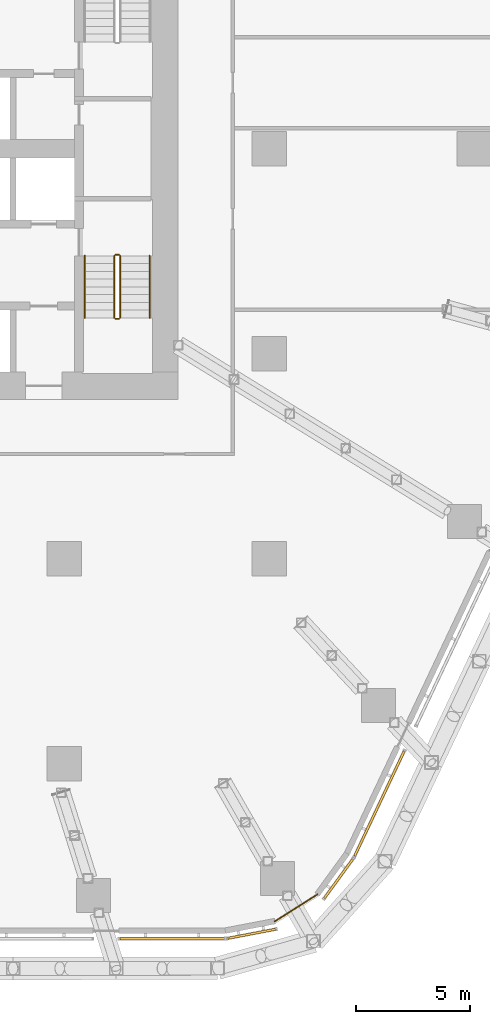
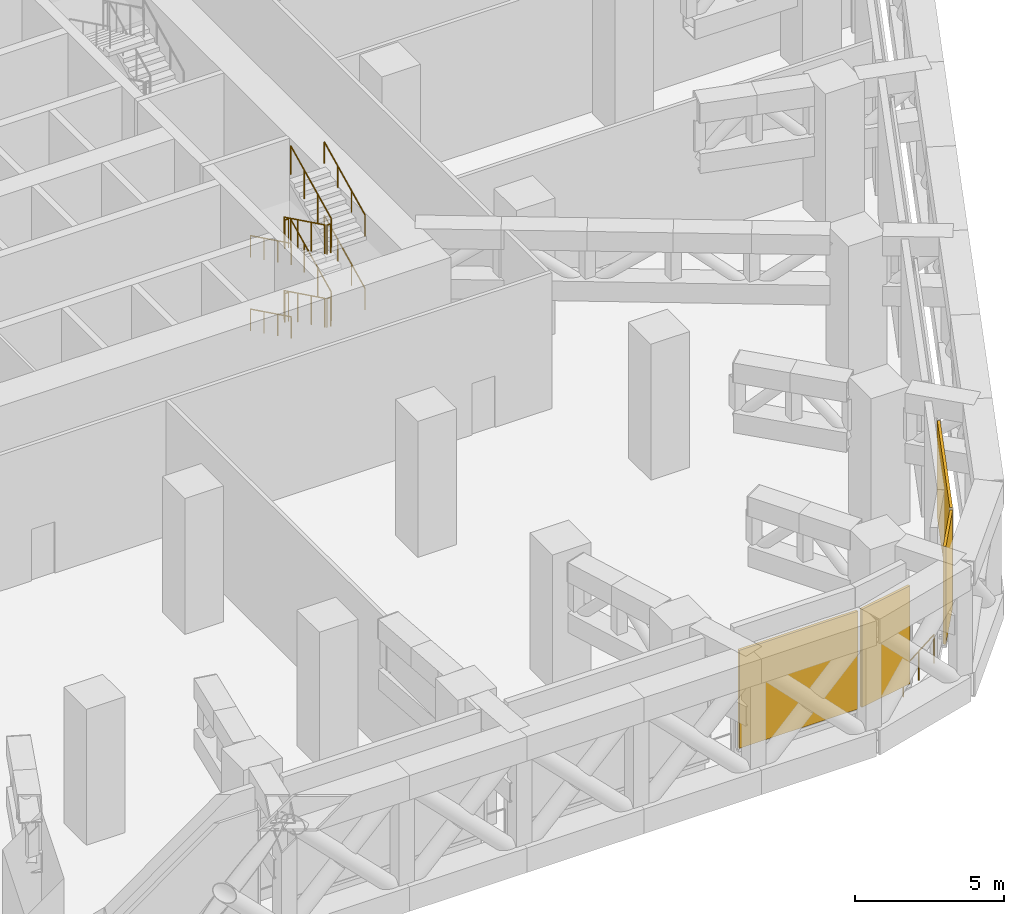
# One storey, part 33 of 38: 13 railings, 4 coverings, 3 elements without a shape of their own.
"""IFC4 building model written with IfcOpenShell, lengths in metres."""

from ifc_helpers import new_model, si_unit, direction, frame, origin, origin_2d, place, context, subcontext, project, spatial, rectangle, circle, extrude, material, layer, layer_set, type_object, element, aggregate, save


model = new_model("IFC4")

# Units and contexts
model_context = context("Model", 3, precision=1e-05, world=origin(), true_north=direction((0.0, 1.0)))
body_context = subcontext(model_context, "Body", "Model", "MODEL_VIEW")
ifc_project = project(units=[si_unit("LENGTHUNIT", "METRE"), si_unit("AREAUNIT", "SQUARE_METRE"), si_unit("VOLUMEUNIT", "CUBIC_METRE"), si_unit("PLANEANGLEUNIT", "RADIAN"), si_unit("MASSUNIT", "GRAM", prefix="KILO")], contexts=[model_context])

# Site, building, storey
site_placement = place(None, origin())
site = spatial("IfcSite", under=ifc_project, at=site_placement, CompositionType="ELEMENT")
building_placement = place(site_placement, origin())
building = spatial("IfcBuilding", under=site, at=building_placement, Name="Dongbaek Canopy Tower", CompositionType="ELEMENT")
storey_placement = place(building_placement, frame((0.0, 0.0, 89.199951171875)))
storey = spatial("IfcBuildingStorey", under=building, at=storey_placement, Name="L18", CompositionType="ELEMENT", Elevation=89.199951171875)

# Curtain wall, covering
ifc_material_1 = material(Name="Aluminium 6063-T6 pale anodised", Category="aluminium")
ifc_layer_1 = layer(ifc_material_1, 0.14990234375)
ifc_layer_set_1 = layer_set([ifc_layer_1], Name="CW-7 louvre curtain wall")
curtain_wall_type = type_object("IfcCurtainWallType", Name="CW-7 louvre curtain wall", PredefinedType="NOTDEFINED", material=ifc_layer_set_1)
curtain_wall_1_placement = place(storey_placement, origin())
curtain_wall_1 = element("IfcCurtainWall", 1, at=curtain_wall_1_placement, inside=storey, type_object=curtain_wall_type, Name="CW-7 louvre wall L18 F4", PredefinedType="NOTDEFINED")
ifc_material_2 = material(Name="Aluminium 6063-T6 pale metal louvre blades", Category="aluminium")
ifc_layer_2 = layer(ifc_material_2, 0.10009765625)
ifc_layer_set_2 = layer_set([ifc_layer_2], Name="Louvre LV bank 100 x 4000")
covering_type = type_object("IfcCoveringType", Name="Louvre LV bank 100 x 4000", PredefinedType="CLADDING", material=ifc_layer_set_2)
covering_1_placement = place(storey_placement, frame((13.733154296875, -34.686279296875, 0.775146484375), z_axis=(0.0, 0.0, 1.0), x_axis=(0.999999862689, 0.000524044387, 0.0)))
covering_1 = element("IfcCovering", 2, at=covering_1_placement, type_object=covering_type, Name="Louvre L18 F4.4.1", PredefinedType="CLADDING", context=body_context, shape_type="SweptSolid", body=[
    extrude(rectangle(XDim=4.5859375, YDim=0.10009765625, at=origin_2d()), origin(), (0.0, 0.0, 1.0), 4.0),
])
aggregate(curtain_wall_1, [covering_1])

# Curtain wall, coverings
curtain_wall_2_placement = place(storey_placement, origin())
curtain_wall_2 = element("IfcCurtainWall", 3, at=curtain_wall_2_placement, inside=storey, type_object=curtain_wall_type, Name="CW-7 louvre wall L18 K5", PredefinedType="NOTDEFINED")
covering_2_placement = place(storey_placement, frame((17.22509765625, -34.47119140625, 0.775146484375), z_axis=(0.0, 0.0, 1.0), x_axis=(0.982248893064, 0.187582280814, 0.0)))
covering_2 = element("IfcCovering", 4, at=covering_2_placement, type_object=covering_type, Name="Louvre L18 K5.1.1", PredefinedType="CLADDING", context=body_context, shape_type="SweptSolid", body=[
    extrude(rectangle(XDim=2.126220703125, YDim=0.10009765625, at=origin_2d()), origin(), (0.0, 0.0, 1.0), 4.0),
])
covering_3_placement = place(storey_placement, frame((21.046875, -32.048095703125, 0.775146484375), z_axis=(0.0, 0.0, 1.0), x_axis=(0.588653156546, 0.808385713189, 0.0)))
covering_3 = element("IfcCovering", 5, at=covering_3_placement, type_object=covering_type, Name="Louvre L18 K5.2.1", PredefinedType="CLADDING", context=body_context, shape_type="SweptSolid", body=[
    extrude(rectangle(XDim=2.126220703125, YDim=0.10009765625, at=origin_2d()), origin(), (0.0, 0.0, 1.0), 4.0),
])
aggregate(curtain_wall_2, [covering_2, covering_3])

# Curtain wall, covering
curtain_wall_3_placement = place(storey_placement, origin())
curtain_wall_3 = element("IfcCurtainWall", 6, at=curtain_wall_3_placement, inside=storey, type_object=curtain_wall_type, Name="CW-7 louvre wall L18 F5", PredefinedType="NOTDEFINED")
covering_4_placement = place(storey_placement, frame((22.84033203125, -28.750244140625, 0.775146484375), z_axis=(0.0, 0.0, 1.0), x_axis=(0.427038992534, 0.904233210436, 0.0)))
covering_4 = element("IfcCovering", 7, at=covering_4_placement, type_object=covering_type, Name="Louvre L18 F5.1.1", PredefinedType="CLADDING", context=body_context, shape_type="SweptSolid", body=[
    extrude(rectangle(XDim=5.09765625, YDim=0.10009765625, at=origin_2d()), origin(), (0.0, 0.0, 1.0), 4.0),
])
aggregate(curtain_wall_3, [covering_4])

# Railings
ifc_material_3 = material(Name="Stainless steel", Category="steel")
railing_type_1 = type_object("IfcRailingType", Name="Plant opening guard 1200", PredefinedType="GUARDRAIL", material=ifc_material_3)
railing_1_placement = place(storey_placement, frame((18.247802734375, -33.91943359375, 0.0)))
element("IfcRailing", 8, at=railing_1_placement, inside=storey, type_object=railing_type_1, Name="Plant opening guard L18 K5 1", PredefinedType="GUARDRAIL", context=body_context, shape_type="SweptSolid", body=[
    extrude(circle(Radius=0.02392578125, at=origin_2d()), frame((0.0, 0.0, 1.17578125), z_axis=(0.844562270703, 0.53545734742, 0.0), x_axis=(-0.53545734742, 0.844562270703, 0.0)), (0.0, 0.0, 1.0), 2.206787109375),
    extrude(circle(Radius=0.02099609375, at=origin_2d()), origin(), (0.0, 0.0, 1.0), 1.15185546875),
    extrude(circle(Radius=0.02099609375, at=origin_2d()), frame((0.931884765625, 0.5908203125, 0.0)), (0.0, 0.0, 1.0), 1.15185546875),
    extrude(circle(Radius=0.02099609375, at=origin_2d()), frame((1.86376953125, 1.181640625, 0.0)), (0.0, 0.0, 1.0), 1.15185546875),
])
ifc_material_4 = material(Name="Stainless steel tube and balusters", Category="steel")
railing_type_2 = type_object("IfcRailingType", Name="Stair guard 1200", PredefinedType="GUARDRAIL", material=ifc_material_4)
railing_2_placement = place(storey_placement, frame((11.199951171875, -4.699951171875, 0.166748046875)))
element("IfcRailing", 9, at=railing_2_placement, inside=storey, type_object=railing_type_2, Name="L18 ST-B stair guard 1", PredefinedType="GUARDRAIL", context=body_context, shape_type="SweptSolid", body=[
    extrude(circle(Radius=0.02392578125, at=origin_2d()), frame((0.0, 0.0, 1.17578125), z_axis=(0.0, -0.897929466783, 0.4401393787), x_axis=(1.0, 0.0, 0.0)), (0.0, 0.0, 1.0), 3.029052734375),
    extrude(circle(Radius=0.02099609375, at=origin_2d()), origin(), (0.0, 0.0, 1.0), 1.15185546875),
    extrude(circle(Radius=0.02099609375, at=origin_2d()), frame((0.0, -0.90673828125, 0.4443359375)), (0.0, 0.0, 1.0), 1.15185546875),
    extrude(circle(Radius=0.02099609375, at=origin_2d()), frame((0.0, -1.813232421875, 0.888916015625)), (0.0, 0.0, 1.0), 1.15185546875),
    extrude(circle(Radius=0.02099609375, at=origin_2d()), frame((0.0, -2.719970703125, 1.333251953125)), (0.0, 0.0, 1.0), 1.15185546875),
])
railing_3_placement = place(storey_placement, frame((11.25, -7.469970703125, 1.5)))
element("IfcRailing", 10, at=railing_3_placement, inside=storey, type_object=railing_type_2, Name="L18 ST-B stair guard 2", PredefinedType="GUARDRAIL", context=body_context, shape_type="SweptSolid", body=[
    extrude(circle(Radius=0.02392578125, at=origin_2d()), frame((0.0, 0.0, 1.17578125), z_axis=(1.0, 0.0, 0.0), x_axis=(0.0, 1.0, 0.0)), (0.0, 0.0, 1.0), 0.14990234375),
    extrude(circle(Radius=0.02099609375, at=origin_2d()), origin(), (0.0, 0.0, 1.0), 1.15185546875),
    extrude(circle(Radius=0.02099609375, at=origin_2d()), frame((0.14990234375, 0.0, 0.0)), (0.0, 0.0, 1.0), 1.15185546875),
])
railing_4_placement = place(storey_placement, frame((11.449951171875, -7.419921875, 1.666748046875)))
element("IfcRailing", 11, at=railing_4_placement, inside=storey, type_object=railing_type_2, Name="L18 ST-B stair guard 3", PredefinedType="GUARDRAIL", context=body_context, shape_type="SweptSolid", body=[
    extrude(circle(Radius=0.02392578125, at=origin_2d()), frame((0.0, 0.0, 1.17578125), z_axis=(0.0, 0.897929466783, 0.4401393787), x_axis=(-1.0, 0.0, 0.0)), (0.0, 0.0, 1.0), 3.029052734375),
    extrude(circle(Radius=0.02099609375, at=origin_2d()), origin(), (0.0, 0.0, 1.0), 1.15185546875),
    extrude(circle(Radius=0.02099609375, at=origin_2d()), frame((0.0, 0.90673828125, 0.4443359375)), (0.0, 0.0, 1.0), 1.15185546875),
    extrude(circle(Radius=0.02099609375, at=origin_2d()), frame((0.0, 1.813232421875, 0.888916015625)), (0.0, 0.0, 1.0), 1.15185546875),
    extrude(circle(Radius=0.02099609375, at=origin_2d()), frame((0.0, 2.719970703125, 1.333251953125)), (0.0, 0.0, 1.0), 1.15185546875),
])
railing_5_placement = place(storey_placement, frame((11.25, -4.64990234375, 3.0)))
element("IfcRailing", 12, at=railing_5_placement, inside=storey, type_object=railing_type_2, Name="L18 ST-B stair guard 4", PredefinedType="GUARDRAIL", context=body_context, shape_type="SweptSolid", body=[
    extrude(circle(Radius=0.02392578125, at=origin_2d()), frame((0.0, 0.0, 1.17578125), z_axis=(1.0, 0.0, 0.0), x_axis=(0.0, 1.0, 0.0)), (0.0, 0.0, 1.0), 0.14990234375),
    extrude(circle(Radius=0.02099609375, at=origin_2d()), origin(), (0.0, 0.0, 1.0), 1.15185546875),
    extrude(circle(Radius=0.02099609375, at=origin_2d()), frame((0.14990234375, 0.0, 0.0)), (0.0, 0.0, 1.0), 1.15185546875),
])
railing_6_placement = place(storey_placement, frame((11.199951171875, -4.699951171875, 3.166748046875)))
element("IfcRailing", 13, at=railing_6_placement, inside=storey, type_object=railing_type_2, Name="L18 ST-B stair guard 5", PredefinedType="GUARDRAIL", context=body_context, shape_type="SweptSolid", body=[
    extrude(circle(Radius=0.02392578125, at=origin_2d()), frame((0.0, 0.0, 1.17578125), z_axis=(0.0, -0.897929466783, 0.4401393787), x_axis=(1.0, 0.0, 0.0)), (0.0, 0.0, 1.0), 3.029052734375),
    extrude(circle(Radius=0.02099609375, at=origin_2d()), origin(), (0.0, 0.0, 1.0), 1.15185546875),
    extrude(circle(Radius=0.02099609375, at=origin_2d()), frame((0.0, -0.90673828125, 0.4443359375)), (0.0, 0.0, 1.0), 1.15185546875),
    extrude(circle(Radius=0.02099609375, at=origin_2d()), frame((0.0, -1.813232421875, 0.888916015625)), (0.0, 0.0, 1.0), 1.15185546875),
    extrude(circle(Radius=0.02099609375, at=origin_2d()), frame((0.0, -2.719970703125, 1.333251953125)), (0.0, 0.0, 1.0), 1.15185546875),
])
railing_7_placement = place(storey_placement, frame((11.25, -7.469970703125, 4.5)))
element("IfcRailing", 14, at=railing_7_placement, inside=storey, type_object=railing_type_2, Name="L18 ST-B stair guard 6", PredefinedType="GUARDRAIL", context=body_context, shape_type="SweptSolid", body=[
    extrude(circle(Radius=0.02392578125, at=origin_2d()), frame((0.0, 0.0, 1.17578125), z_axis=(1.0, 0.0, 0.0), x_axis=(0.0, 1.0, 0.0)), (0.0, 0.0, 1.0), 0.14990234375),
    extrude(circle(Radius=0.02099609375, at=origin_2d()), origin(), (0.0, 0.0, 1.0), 1.15185546875),
    extrude(circle(Radius=0.02099609375, at=origin_2d()), frame((0.14990234375, 0.0, 0.0)), (0.0, 0.0, 1.0), 1.15185546875),
])
railing_8_placement = place(storey_placement, frame((11.449951171875, -7.419921875, 4.666748046875)))
element("IfcRailing", 15, at=railing_8_placement, inside=storey, type_object=railing_type_2, Name="L18 ST-B stair guard 7", PredefinedType="GUARDRAIL", context=body_context, shape_type="SweptSolid", body=[
    extrude(circle(Radius=0.02392578125, at=origin_2d()), frame((0.0, 0.0, 1.17578125), z_axis=(0.0, 0.897929466783, 0.4401393787), x_axis=(-1.0, 0.0, 0.0)), (0.0, 0.0, 1.0), 3.029052734375),
    extrude(circle(Radius=0.02099609375, at=origin_2d()), origin(), (0.0, 0.0, 1.0), 1.15185546875),
    extrude(circle(Radius=0.02099609375, at=origin_2d()), frame((0.0, 0.90673828125, 0.4443359375)), (0.0, 0.0, 1.0), 1.15185546875),
    extrude(circle(Radius=0.02099609375, at=origin_2d()), frame((0.0, 1.813232421875, 0.888916015625)), (0.0, 0.0, 1.0), 1.15185546875),
    extrude(circle(Radius=0.02099609375, at=origin_2d()), frame((0.0, 2.719970703125, 1.333251953125)), (0.0, 0.0, 1.0), 1.15185546875),
])
railing_9_placement = place(storey_placement, frame((11.25, -4.64990234375, 0.0)))
element("IfcRailing", 16, at=railing_9_placement, inside=storey, type_object=railing_type_2, Name="L18 ST-B stair guard 8", PredefinedType="GUARDRAIL", context=body_context, shape_type="SweptSolid", body=[
    extrude(circle(Radius=0.02392578125, at=origin_2d()), frame((0.0, 0.0, 1.17578125), z_axis=(1.0, 0.0, 0.0), x_axis=(0.0, 1.0, 0.0)), (0.0, 0.0, 1.0), 0.14990234375),
    extrude(circle(Radius=0.02099609375, at=origin_2d()), origin(), (0.0, 0.0, 1.0), 1.15185546875),
    extrude(circle(Radius=0.02099609375, at=origin_2d()), frame((0.14990234375, 0.0, 0.0)), (0.0, 0.0, 1.0), 1.15185546875),
])
ifc_material_5 = material(Name="Stainless steel tube", Category="steel")
railing_type_3 = type_object("IfcRailingType", Name="Stair handrail 900", PredefinedType="HANDRAIL", material=ifc_material_5)
railing_10_placement = place(storey_placement, frame((9.89990234375, -4.699951171875, 0.166748046875)))
element("IfcRailing", 17, at=railing_10_placement, inside=storey, type_object=railing_type_3, Name="L18 ST-B stair handrail 1", PredefinedType="HANDRAIL", context=body_context, shape_type="SweptSolid", body=[
    extrude(circle(Radius=0.02392578125, at=origin_2d()), frame((0.0, 0.0, 0.8759765625), z_axis=(0.0, -0.897929466783, 0.4401393787), x_axis=(1.0, 0.0, 0.0)), (0.0, 0.0, 1.0), 3.029052734375),
    extrude(circle(Radius=0.02099609375, at=origin_2d()), origin(), (0.0, 0.0, 1.0), 0.851806640625),
    extrude(circle(Radius=0.02099609375, at=origin_2d()), frame((0.0, -0.90673828125, 0.4443359375)), (0.0, 0.0, 1.0), 0.851806640625),
    extrude(circle(Radius=0.02099609375, at=origin_2d()), frame((0.0, -1.813232421875, 0.888916015625)), (0.0, 0.0, 1.0), 0.851806640625),
    extrude(circle(Radius=0.02099609375, at=origin_2d()), frame((0.0, -2.719970703125, 1.333251953125)), (0.0, 0.0, 1.0), 0.851806640625),
])
railing_11_placement = place(storey_placement, frame((12.75, -7.419921875, 1.666748046875)))
element("IfcRailing", 18, at=railing_11_placement, inside=storey, type_object=railing_type_3, Name="L18 ST-B stair handrail 2", PredefinedType="HANDRAIL", context=body_context, shape_type="SweptSolid", body=[
    extrude(circle(Radius=0.02392578125, at=origin_2d()), frame((0.0, 0.0, 0.8759765625), z_axis=(0.0, 0.897929466783, 0.4401393787), x_axis=(-1.0, 0.0, 0.0)), (0.0, 0.0, 1.0), 3.029052734375),
    extrude(circle(Radius=0.02099609375, at=origin_2d()), origin(), (0.0, 0.0, 1.0), 0.851806640625),
    extrude(circle(Radius=0.02099609375, at=origin_2d()), frame((0.0, 0.90673828125, 0.4443359375)), (0.0, 0.0, 1.0), 0.851806640625),
    extrude(circle(Radius=0.02099609375, at=origin_2d()), frame((0.0, 1.813232421875, 0.888916015625)), (0.0, 0.0, 1.0), 0.851806640625),
    extrude(circle(Radius=0.02099609375, at=origin_2d()), frame((0.0, 2.719970703125, 1.333251953125)), (0.0, 0.0, 1.0), 0.851806640625),
])
railing_12_placement = place(storey_placement, frame((9.89990234375, -4.699951171875, 3.166748046875)))
element("IfcRailing", 19, at=railing_12_placement, inside=storey, type_object=railing_type_3, Name="L18 ST-B stair handrail 3", PredefinedType="HANDRAIL", context=body_context, shape_type="SweptSolid", body=[
    extrude(circle(Radius=0.02392578125, at=origin_2d()), frame((0.0, 0.0, 0.8759765625), z_axis=(0.0, -0.897929466783, 0.4401393787), x_axis=(1.0, 0.0, 0.0)), (0.0, 0.0, 1.0), 3.029052734375),
    extrude(circle(Radius=0.02099609375, at=origin_2d()), origin(), (0.0, 0.0, 1.0), 0.851806640625),
    extrude(circle(Radius=0.02099609375, at=origin_2d()), frame((0.0, -0.90673828125, 0.4443359375)), (0.0, 0.0, 1.0), 0.851806640625),
    extrude(circle(Radius=0.02099609375, at=origin_2d()), frame((0.0, -1.813232421875, 0.888916015625)), (0.0, 0.0, 1.0), 0.851806640625),
    extrude(circle(Radius=0.02099609375, at=origin_2d()), frame((0.0, -2.719970703125, 1.333251953125)), (0.0, 0.0, 1.0), 0.851806640625),
])
railing_13_placement = place(storey_placement, frame((12.75, -7.419921875, 4.666748046875)))
element("IfcRailing", 20, at=railing_13_placement, inside=storey, type_object=railing_type_3, Name="L18 ST-B stair handrail 4", PredefinedType="HANDRAIL", context=body_context, shape_type="SweptSolid", body=[
    extrude(circle(Radius=0.02392578125, at=origin_2d()), frame((0.0, 0.0, 0.8759765625), z_axis=(0.0, 0.897929466783, 0.4401393787), x_axis=(-1.0, 0.0, 0.0)), (0.0, 0.0, 1.0), 3.029052734375),
    extrude(circle(Radius=0.02099609375, at=origin_2d()), origin(), (0.0, 0.0, 1.0), 0.851806640625),
    extrude(circle(Radius=0.02099609375, at=origin_2d()), frame((0.0, 0.90673828125, 0.4443359375)), (0.0, 0.0, 1.0), 0.851806640625),
    extrude(circle(Radius=0.02099609375, at=origin_2d()), frame((0.0, 1.813232421875, 0.888916015625)), (0.0, 0.0, 1.0), 0.851806640625),
    extrude(circle(Radius=0.02099609375, at=origin_2d()), frame((0.0, 2.719970703125, 1.333251953125)), (0.0, 0.0, 1.0), 0.851806640625),
])

save(model, "model.ifc")
